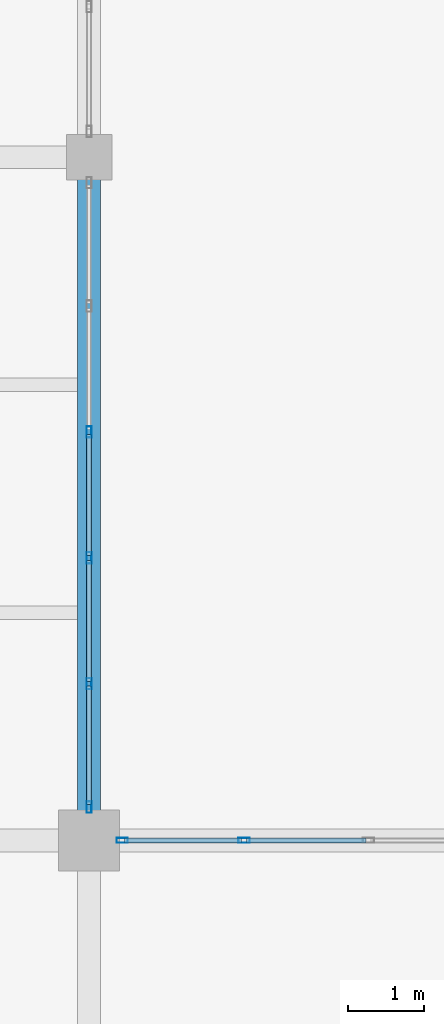
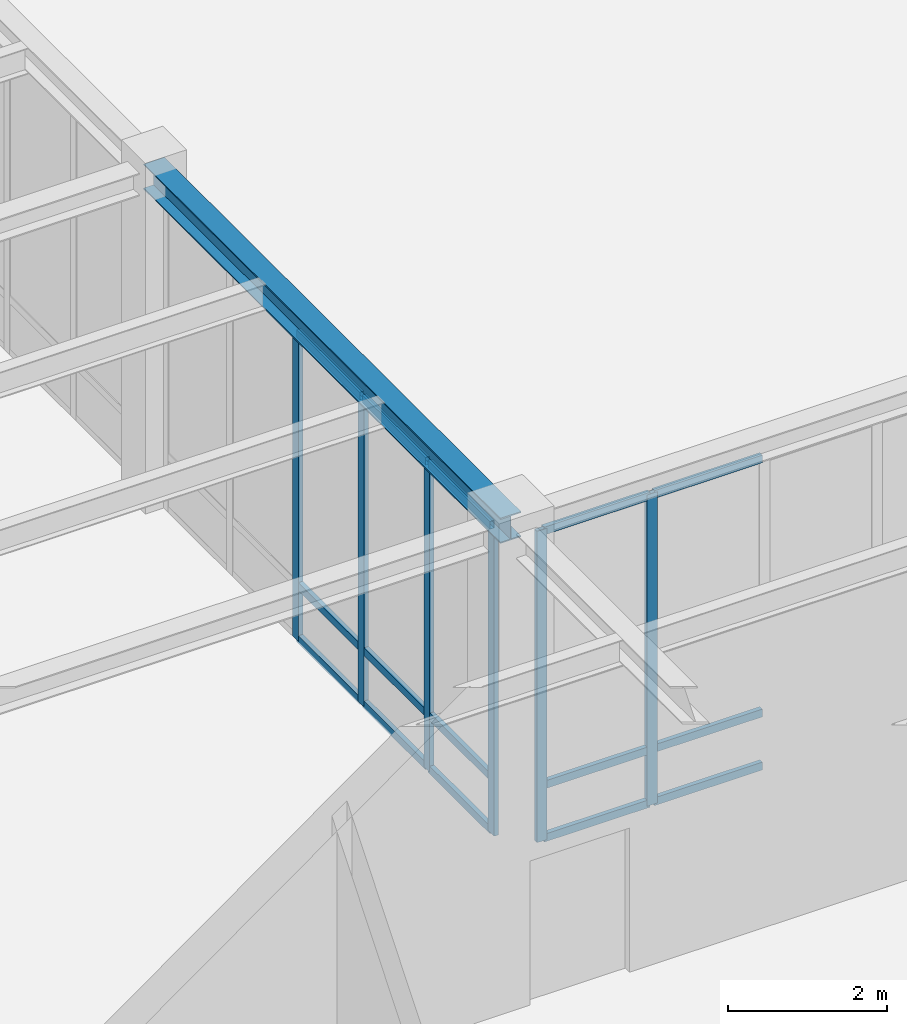
# One storey, part 33 of 77: 21 members, 1 beam, 2 elements without a shape of their own.
"""IFC4 building model written with IfcOpenShell, lengths in metres."""

from ifc_helpers import new_model, si_unit, direction, frame, origin, origin_2d, place, context, subcontext, project, spatial, hollow_rectangle, i_section, extrude, material, material_profile, profile_set, type_object, element, aggregate, save


model = new_model("IFC4")

# Units and contexts
model_context = context("Model", 3, precision=1e-05, world=origin(), true_north=direction((0.0, 1.0)))
body_context = subcontext(model_context, "Body", "Model", "MODEL_VIEW")
ifc_project = project(units=[si_unit("LENGTHUNIT", "METRE"), si_unit("AREAUNIT", "SQUARE_METRE"), si_unit("VOLUMEUNIT", "CUBIC_METRE"), si_unit("PLANEANGLEUNIT", "RADIAN"), si_unit("MASSUNIT", "GRAM", prefix="KILO")], contexts=[model_context])

# Site, building, storey
site_placement = place(None, origin())
site = spatial("IfcSite", under=ifc_project, at=site_placement, CompositionType="ELEMENT")
building_placement = place(site_placement, origin())
building = spatial("IfcBuilding", under=site, at=building_placement, Name="Lykobir Media Centre", CompositionType="ELEMENT")
storey_placement = place(building_placement, origin())
storey = spatial("IfcBuildingStorey", under=building, at=storey_placement, Name="L00", CompositionType="ELEMENT", Elevation=0.0)

# Beam
ifc_material_1 = material(Name="Steel S355", Category="steel")
ifc_material_profile_1 = material_profile(ifc_material_1, i_section(OverallWidth=0.300048828125, OverallDepth=0.389892578125, WebThickness=0.010986328125, FlangeThickness=0.01904296875, at=origin_2d()), Name="HEA 400")
ifc_profile_set_1 = profile_set([ifc_material_profile_1], Name="Steel S355")
beam_type = type_object("IfcBeamType", Name="BM-HEA400", PredefinedType="BEAM", material=ifc_profile_set_1)
beam_placement = place(storey_placement, frame((108.0, 18.0, 4.962890625), z_axis=(0.0, 1.0, 0.0), x_axis=(-1.0, 0.0, 0.0)))
element("IfcBeam", 1, at=beam_placement, inside=storey, type_object=beam_type, Name="Beam BM-L00-1080-0180-1080-0270-499", PredefinedType="BEAM", context=body_context, shape_type="SweptSolid", body=[
    extrude(i_section(OverallWidth=0.300048828125, OverallDepth=0.389892578125, WebThickness=0.010986328125, FlangeThickness=0.01904296875, at=origin_2d()), origin(), (0.0, 0.0, 1.0), 9.0),
])

# Curtain wall, members
ifc_material_2 = material(Name="Anodized Aluminium AW-6060", Category="aluminium")
curtain_wall_type = type_object("IfcCurtainWallType", Name="CW-COURT-A", PredefinedType="NOTDEFINED", material=ifc_material_2)
curtain_wall_1_placement = place(storey_placement, origin())
curtain_wall_1 = element("IfcCurtainWall", 2, at=curtain_wall_1_placement, inside=storey, type_object=curtain_wall_type, Name="Curtain wall CW2-L00-0001", PredefinedType="NOTDEFINED")
ifc_material_profile_2 = material_profile(ifc_material_2, hollow_rectangle(XDim=0.06494140625, YDim=0.14990234375, WallThickness=0.00341796875, at=origin_2d()), Name="ALU MULLION 65x150")
ifc_profile_set_2 = profile_set([ifc_material_profile_2], Name="Anodized Aluminium AW-6060")
member_type_1 = type_object("IfcMemberType", Name="CWM-150", PredefinedType="MULLION", material=ifc_profile_set_2)
member_1_placement = place(storey_placement, frame((108.4375, 18.0, 0.0), z_axis=(0.0, 0.0, 1.0), x_axis=(0.0, 1.0, 0.0)))
member_1 = element("IfcMember", 3, at=member_1_placement, type_object=member_type_1, Name="CW2-L00-0001 mullion 1", PredefinedType="MULLION", context=body_context, shape_type="SweptSolid", body=[
    extrude(hollow_rectangle(XDim=0.06494140625, YDim=0.14990234375, WallThickness=0.00341796875, at=origin_2d()), origin(), (0.0, 0.0, 1.0), 4.794921875),
])
member_2_placement = place(storey_placement, frame((110.04296875, 18.0, 0.0), z_axis=(0.0, 0.0, 1.0), x_axis=(0.0, 1.0, 0.0)))
member_2 = element("IfcMember", 4, at=member_2_placement, type_object=member_type_1, Name="CW2-L00-0001 mullion 2", PredefinedType="MULLION", context=body_context, shape_type="SweptSolid", body=[
    extrude(hollow_rectangle(XDim=0.06494140625, YDim=0.14990234375, WallThickness=0.00341796875, at=origin_2d()), origin(), (0.0, 0.0, 1.0), 4.794921875),
])

curtain_wall_2_placement = place(storey_placement, origin())
curtain_wall_2 = element("IfcCurtainWall", 5, at=curtain_wall_2_placement, inside=storey, type_object=curtain_wall_type, Name="Curtain wall CW2-L00-0003", PredefinedType="NOTDEFINED")
member_3_placement = place(storey_placement, frame((108.0, 23.37890625, 0.0), z_axis=(0.0, 0.0, 1.0), x_axis=(1.0, 0.0, 0.0)))
member_3 = element("IfcMember", 6, at=member_3_placement, type_object=member_type_1, Name="CW2-L00-0003 mullion 3", PredefinedType="MULLION", context=body_context, shape_type="SweptSolid", body=[
    extrude(hollow_rectangle(XDim=0.06494140625, YDim=0.14990234375, WallThickness=0.00341796875, at=origin_2d()), origin(), (0.0, 0.0, 1.0), 4.7529296875),
])
member_4_placement = place(storey_placement, frame((108.0, 21.720947265625, 0.0), z_axis=(0.0, 0.0, 1.0), x_axis=(1.0, 0.0, 0.0)))
member_4 = element("IfcMember", 7, at=member_4_placement, type_object=member_type_1, Name="CW2-L00-0003 mullion 4", PredefinedType="MULLION", context=body_context, shape_type="SweptSolid", body=[
    extrude(hollow_rectangle(XDim=0.06494140625, YDim=0.14990234375, WallThickness=0.00341796875, at=origin_2d()), origin(), (0.0, 0.0, 1.0), 4.7529296875),
])
member_5_placement = place(storey_placement, frame((108.0, 20.06298828125, 0.0), z_axis=(0.0, 0.0, 1.0), x_axis=(1.0, 0.0, 0.0)))
member_5 = element("IfcMember", 8, at=member_5_placement, type_object=member_type_1, Name="CW2-L00-0003 mullion 5", PredefinedType="MULLION", context=body_context, shape_type="SweptSolid", body=[
    extrude(hollow_rectangle(XDim=0.06494140625, YDim=0.14990234375, WallThickness=0.00341796875, at=origin_2d()), origin(), (0.0, 0.0, 1.0), 4.7529296875),
])
member_6_placement = place(storey_placement, frame((108.0, 18.4375, 0.0), z_axis=(0.0, 0.0, 1.0), x_axis=(1.0, 0.0, 0.0)))
member_6 = element("IfcMember", 9, at=member_6_placement, type_object=member_type_1, Name="CW2-L00-0003 mullion 6", PredefinedType="MULLION", context=body_context, shape_type="SweptSolid", body=[
    extrude(hollow_rectangle(XDim=0.06494140625, YDim=0.14990234375, WallThickness=0.00341796875, at=origin_2d()), origin(), (0.0, 0.0, 1.0), 4.7529296875),
])

# Member
ifc_material_profile_3 = material_profile(ifc_material_2, hollow_rectangle(XDim=0.06494140625, YDim=0.1201171875, WallThickness=0.0029296875, at=origin_2d()), Name="ALU TRANSOM 65x120")
ifc_profile_set_3 = profile_set([ifc_material_profile_3], Name="Anodized Aluminium AW-6060")
member_type_2 = type_object("IfcMemberType", Name="CWT-120", PredefinedType="USERDEFINED", material=ifc_profile_set_3)
member_7_placement = place(storey_placement, frame((108.469970703125, 18.0, 0.032470703125), z_axis=(1.0, 0.0, 0.0), x_axis=(0.0, 1.0, 0.0)))
member_7 = element("IfcMember", 10, at=member_7_placement, type_object=member_type_2, Name="CW2-L00-0001 transom 1.1", ObjectType="TRANSOM", PredefinedType="USERDEFINED", context=body_context, shape_type="SweptSolid", body=[
    extrude(hollow_rectangle(XDim=0.06494140625, YDim=0.1201171875, WallThickness=0.0029296875, at=origin_2d()), origin(), (0.0, 0.0, 1.0), 1.54052734375),
])

member_8_placement = place(storey_placement, frame((108.469970703125, 18.0, 0.85009765625), z_axis=(1.0, 0.0, 0.0), x_axis=(0.0, 1.0, 0.0)))
member_8 = element("IfcMember", 11, at=member_8_placement, type_object=member_type_2, Name="CW2-L00-0001 transom 1.2", ObjectType="TRANSOM", PredefinedType="USERDEFINED", context=body_context, shape_type="SweptSolid", body=[
    extrude(hollow_rectangle(XDim=0.06494140625, YDim=0.1201171875, WallThickness=0.0029296875, at=origin_2d()), origin(), (0.0, 0.0, 1.0), 1.54052734375),
])

member_9_placement = place(storey_placement, frame((108.469970703125, 18.0, 4.762451171875), z_axis=(1.0, 0.0, 0.0), x_axis=(0.0, 1.0, 0.0)))
member_9 = element("IfcMember", 12, at=member_9_placement, type_object=member_type_2, Name="CW2-L00-0001 transom 1.3", ObjectType="TRANSOM", PredefinedType="USERDEFINED", context=body_context, shape_type="SweptSolid", body=[
    extrude(hollow_rectangle(XDim=0.06494140625, YDim=0.1201171875, WallThickness=0.0029296875, at=origin_2d()), origin(), (0.0, 0.0, 1.0), 1.54052734375),
])

member_10_placement = place(storey_placement, frame((110.075439453125, 18.0, 0.032470703125), z_axis=(1.0, 0.0, 0.0), x_axis=(0.0, 1.0, 0.0)))
member_10 = element("IfcMember", 13, at=member_10_placement, type_object=member_type_2, Name="CW2-L00-0001 transom 2.1", ObjectType="TRANSOM", PredefinedType="USERDEFINED", context=body_context, shape_type="SweptSolid", body=[
    extrude(hollow_rectangle(XDim=0.06494140625, YDim=0.1201171875, WallThickness=0.0029296875, at=origin_2d()), origin(), (0.0, 0.0, 1.0), 1.572998046875),
])

member_11_placement = place(storey_placement, frame((110.075439453125, 18.0, 0.85009765625), z_axis=(1.0, 0.0, 0.0), x_axis=(0.0, 1.0, 0.0)))
member_11 = element("IfcMember", 14, at=member_11_placement, type_object=member_type_2, Name="CW2-L00-0001 transom 2.2", ObjectType="TRANSOM", PredefinedType="USERDEFINED", context=body_context, shape_type="SweptSolid", body=[
    extrude(hollow_rectangle(XDim=0.06494140625, YDim=0.1201171875, WallThickness=0.0029296875, at=origin_2d()), origin(), (0.0, 0.0, 1.0), 1.572998046875),
])

member_12_placement = place(storey_placement, frame((110.075439453125, 18.0, 4.762451171875), z_axis=(1.0, 0.0, 0.0), x_axis=(0.0, 1.0, 0.0)))
member_12 = element("IfcMember", 15, at=member_12_placement, type_object=member_type_2, Name="CW2-L00-0001 transom 2.3", ObjectType="TRANSOM", PredefinedType="USERDEFINED", context=body_context, shape_type="SweptSolid", body=[
    extrude(hollow_rectangle(XDim=0.06494140625, YDim=0.1201171875, WallThickness=0.0029296875, at=origin_2d()), origin(), (0.0, 0.0, 1.0), 1.572998046875),
])

aggregate(curtain_wall_1, [member_1, member_2, member_7, member_8, member_9, member_10, member_11, member_12])

member_13_placement = place(storey_placement, frame((108.0, 23.346435546875, 0.032470703125), z_axis=(0.0, -1.0, 0.0), x_axis=(1.0, 0.0, 0.0)))
member_13 = element("IfcMember", 16, at=member_13_placement, type_object=member_type_2, Name="CW2-L00-0003 transom 3.1", ObjectType="TRANSOM", PredefinedType="USERDEFINED", context=body_context, shape_type="SweptSolid", body=[
    extrude(hollow_rectangle(XDim=0.06494140625, YDim=0.1201171875, WallThickness=0.0029296875, at=origin_2d()), origin(), (0.0, 0.0, 1.0), 1.593017578125),
])

member_14_placement = place(storey_placement, frame((108.0, 23.346435546875, 0.85009765625), z_axis=(0.0, -1.0, 0.0), x_axis=(1.0, 0.0, 0.0)))
member_14 = element("IfcMember", 17, at=member_14_placement, type_object=member_type_2, Name="CW2-L00-0003 transom 3.2", ObjectType="TRANSOM", PredefinedType="USERDEFINED", context=body_context, shape_type="SweptSolid", body=[
    extrude(hollow_rectangle(XDim=0.06494140625, YDim=0.1201171875, WallThickness=0.0029296875, at=origin_2d()), origin(), (0.0, 0.0, 1.0), 1.593017578125),
])

member_15_placement = place(storey_placement, frame((108.0, 23.346435546875, 4.720458984375), z_axis=(0.0, -1.0, 0.0), x_axis=(1.0, 0.0, 0.0)))
member_15 = element("IfcMember", 18, at=member_15_placement, type_object=member_type_2, Name="CW2-L00-0003 transom 3.3", ObjectType="TRANSOM", PredefinedType="USERDEFINED", context=body_context, shape_type="SweptSolid", body=[
    extrude(hollow_rectangle(XDim=0.06494140625, YDim=0.1201171875, WallThickness=0.0029296875, at=origin_2d()), origin(), (0.0, 0.0, 1.0), 1.593017578125),
])

member_16_placement = place(storey_placement, frame((108.0, 21.6884765625, 0.032470703125), z_axis=(0.0, -1.0, 0.0), x_axis=(1.0, 0.0, 0.0)))
member_16 = element("IfcMember", 19, at=member_16_placement, type_object=member_type_2, Name="CW2-L00-0003 transom 4.1", ObjectType="TRANSOM", PredefinedType="USERDEFINED", context=body_context, shape_type="SweptSolid", body=[
    extrude(hollow_rectangle(XDim=0.06494140625, YDim=0.1201171875, WallThickness=0.0029296875, at=origin_2d()), origin(), (0.0, 0.0, 1.0), 1.593017578125),
])

member_17_placement = place(storey_placement, frame((108.0, 21.6884765625, 0.85009765625), z_axis=(0.0, -1.0, 0.0), x_axis=(1.0, 0.0, 0.0)))
member_17 = element("IfcMember", 20, at=member_17_placement, type_object=member_type_2, Name="CW2-L00-0003 transom 4.2", ObjectType="TRANSOM", PredefinedType="USERDEFINED", context=body_context, shape_type="SweptSolid", body=[
    extrude(hollow_rectangle(XDim=0.06494140625, YDim=0.1201171875, WallThickness=0.0029296875, at=origin_2d()), origin(), (0.0, 0.0, 1.0), 1.593017578125),
])

member_18_placement = place(storey_placement, frame((108.0, 21.6884765625, 4.720458984375), z_axis=(0.0, -1.0, 0.0), x_axis=(1.0, 0.0, 0.0)))
member_18 = element("IfcMember", 21, at=member_18_placement, type_object=member_type_2, Name="CW2-L00-0003 transom 4.3", ObjectType="TRANSOM", PredefinedType="USERDEFINED", context=body_context, shape_type="SweptSolid", body=[
    extrude(hollow_rectangle(XDim=0.06494140625, YDim=0.1201171875, WallThickness=0.0029296875, at=origin_2d()), origin(), (0.0, 0.0, 1.0), 1.593017578125),
])

member_19_placement = place(storey_placement, frame((108.0, 20.030517578125, 0.032470703125), z_axis=(0.0, -1.0, 0.0), x_axis=(1.0, 0.0, 0.0)))
member_19 = element("IfcMember", 22, at=member_19_placement, type_object=member_type_2, Name="CW2-L00-0003 transom 5.1", ObjectType="TRANSOM", PredefinedType="USERDEFINED", context=body_context, shape_type="SweptSolid", body=[
    extrude(hollow_rectangle(XDim=0.06494140625, YDim=0.1201171875, WallThickness=0.0029296875, at=origin_2d()), origin(), (0.0, 0.0, 1.0), 1.560546875),
])

member_20_placement = place(storey_placement, frame((108.0, 20.030517578125, 0.85009765625), z_axis=(0.0, -1.0, 0.0), x_axis=(1.0, 0.0, 0.0)))
member_20 = element("IfcMember", 23, at=member_20_placement, type_object=member_type_2, Name="CW2-L00-0003 transom 5.2", ObjectType="TRANSOM", PredefinedType="USERDEFINED", context=body_context, shape_type="SweptSolid", body=[
    extrude(hollow_rectangle(XDim=0.06494140625, YDim=0.1201171875, WallThickness=0.0029296875, at=origin_2d()), origin(), (0.0, 0.0, 1.0), 1.560546875),
])

member_21_placement = place(storey_placement, frame((108.0, 20.030517578125, 4.720458984375), z_axis=(0.0, -1.0, 0.0), x_axis=(1.0, 0.0, 0.0)))
member_21 = element("IfcMember", 24, at=member_21_placement, type_object=member_type_2, Name="CW2-L00-0003 transom 5.3", ObjectType="TRANSOM", PredefinedType="USERDEFINED", context=body_context, shape_type="SweptSolid", body=[
    extrude(hollow_rectangle(XDim=0.06494140625, YDim=0.1201171875, WallThickness=0.0029296875, at=origin_2d()), origin(), (0.0, 0.0, 1.0), 1.560546875),
])

aggregate(curtain_wall_2, [member_3, member_4, member_5, member_6, member_13, member_14, member_15, member_16, member_17, member_18, member_19, member_20, member_21])

save(model, "model.ifc")
